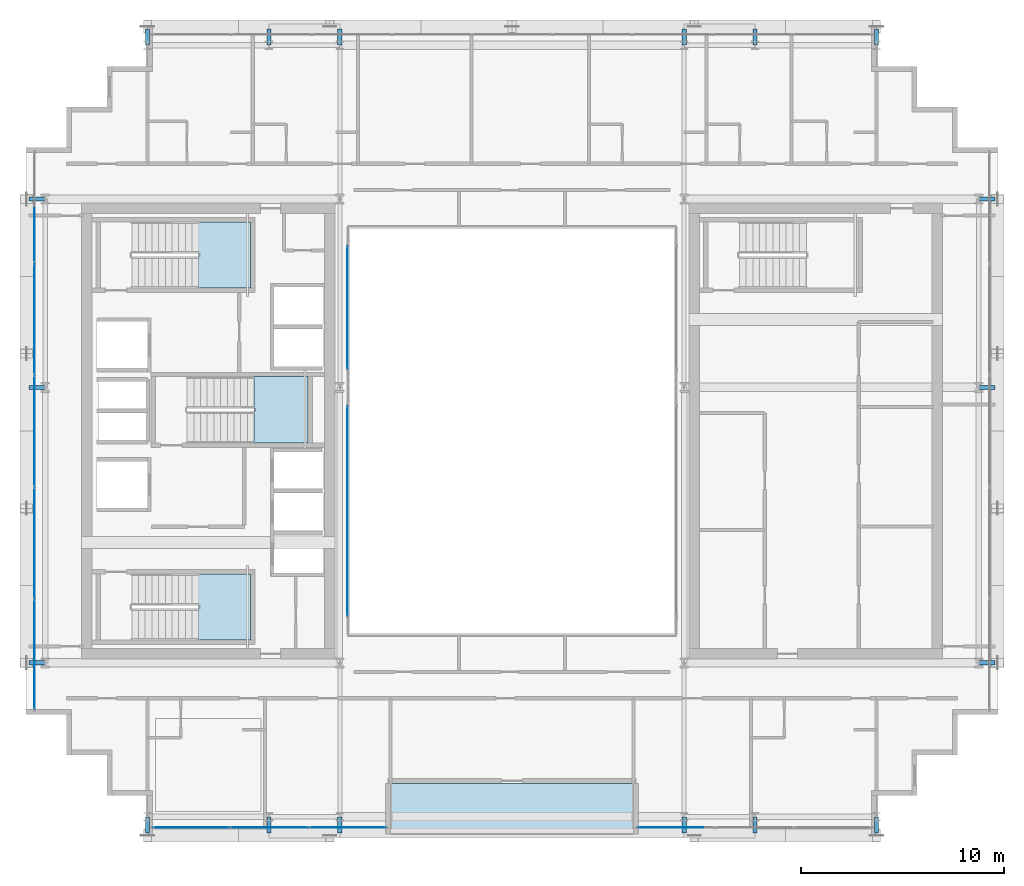
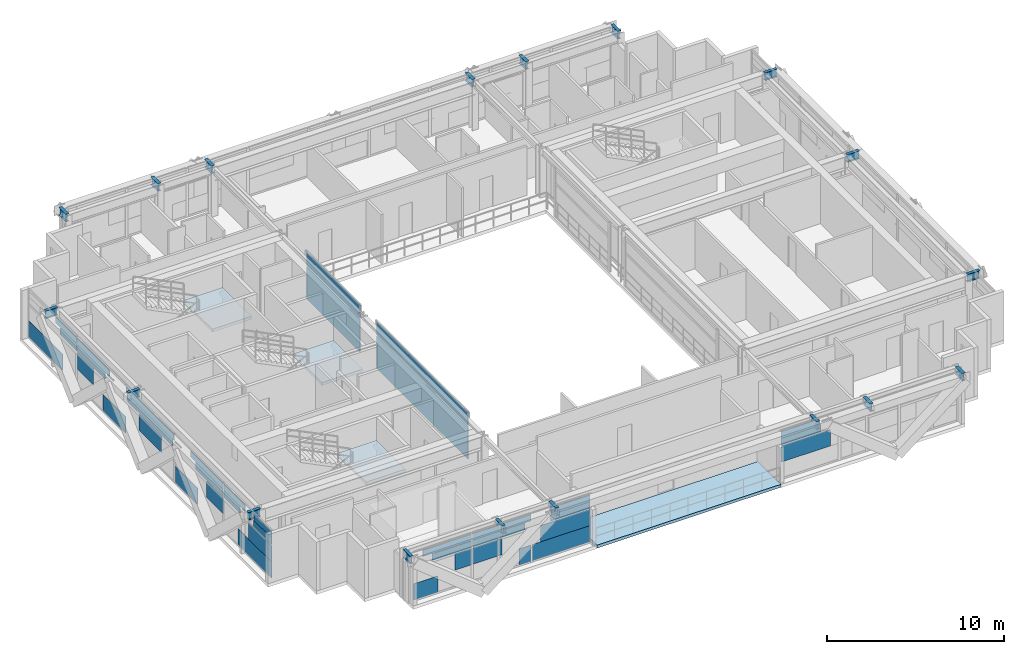
# One storey, part 24 of 37: 39 plates, 18 beams, 4 slabs, 8 elements without a shape of their own.
"""IFC4 building model written with IfcOpenShell, lengths in metres."""

from ifc_helpers import new_model, si_unit, direction, frame, origin, origin_2d, place, context, subcontext, project, spatial, polyline, rectangle, i_section, outline, extrude, source, transform, mapped, material, layer, layer_set, material_profile, profile_set, type_object, element, aggregate, save


model = new_model("IFC4")

# Units and contexts
model_context = context("Model", 3, precision=1e-05, world=origin(), true_north=direction((0.0, 1.0)))
body_context = subcontext(model_context, "Body", "Model", "MODEL_VIEW")
ifc_project = project(units=[si_unit("LENGTHUNIT", "METRE"), si_unit("AREAUNIT", "SQUARE_METRE"), si_unit("VOLUMEUNIT", "CUBIC_METRE"), si_unit("PLANEANGLEUNIT", "RADIAN"), si_unit("MASSUNIT", "GRAM", prefix="KILO")], contexts=[model_context])

# Site, building, storey
site_placement = place(None, origin())
site = spatial("IfcSite", under=ifc_project, at=site_placement, CompositionType="ELEMENT")
building_placement = place(site_placement, origin())
building = spatial("IfcBuilding", under=site, at=building_placement, Name="Ocotamira Hotel", CompositionType="ELEMENT")
storey_placement = place(building_placement, frame((0.0, 0.0, 192.0)))
storey = spatial("IfcBuildingStorey", under=building, at=storey_placement, Name="L48", CompositionType="ELEMENT", Elevation=192.0)

# Beams
ifc_material_1 = material(Name="Steel ASTM A992 Grade 50", Category="steel")
ifc_material_profile = material_profile(ifc_material_1, i_section(OverallWidth=0.2099609375, OverallDepth=0.537109375, WebThickness=0.010986328125, FlangeThickness=0.017333984375, FilletRadius=0.012939453125, at=origin_2d()), Name="W21X68")
ifc_profile_set = profile_set([ifc_material_profile], Name="Steel ASTM A992 Grade 50")
beam_type = type_object("IfcBeamType", Name="BM-SEC-W21X68", PredefinedType="JOIST", material=ifc_profile_set)
shared_shape_1 = source(origin(), body_context, "Body", "SweptSolid", [
    extrude(i_section(OverallWidth=0.2099609375, OverallDepth=0.537109375, WebThickness=0.010986328125, FlangeThickness=0.017333984375, FilletRadius=0.012939453125, at=origin_2d()), origin(), (0.0, 0.0, 1.0), 0.800048828125),
])
for number, where, z_axis, x_axis, name in (
    (1, (14.0, 6.949951171875, 3.1015625), (0.0, -1.0, 0.0), (1.0, 0.0, 0.0), "L48 South Edge Header X14"),
    (2, (14.0, 45.050048828125, 3.1015625), (0.0, 1.0, 0.0), (-1.0, 0.0, 0.0), "L48 North Edge Header X14"),
    (3, (20.0, 6.949951171875, 3.1015625), (0.0, -1.0, 0.0), (1.0, 0.0, 0.0), "L48 South Edge Header X20"),
    (4, (20.0, 45.050048828125, 3.1015625), (0.0, 1.0, 0.0), (-1.0, 0.0, 0.0), "L48 North Edge Header X20"),
    (5, (23.5, 6.949951171875, 3.1015625), (0.0, -1.0, 0.0), (1.0, 0.0, 0.0), "L48 South Edge Header X23.5"),
    (6, (23.5, 45.050048828125, 3.1015625), (0.0, 1.0, 0.0), (-1.0, 0.0, 0.0), "L48 North Edge Header X23.5"),
    (7, (40.5, 6.949951171875, 3.1015625), (0.0, -1.0, 0.0), (1.0, 0.0, 0.0), "L48 South Edge Header X40.5"),
    (8, (40.5, 45.050048828125, 3.1015625), (0.0, 1.0, 0.0), (-1.0, 0.0, 0.0), "L48 North Edge Header X40.5"),
    (9, (44.0, 6.949951171875, 3.1015625), (0.0, -1.0, 0.0), (1.0, 0.0, 0.0), "L48 South Edge Header X44"),
    (10, (44.0, 45.050048828125, 3.1015625), (0.0, 1.0, 0.0), (-1.0, 0.0, 0.0), "L48 North Edge Header X44"),
    (11, (50.0, 6.949951171875, 3.1015625), (0.0, -1.0, 0.0), (1.0, 0.0, 0.0), "L48 South Edge Header X50"),
    (12, (50.0, 45.050048828125, 3.1015625), (0.0, 1.0, 0.0), (-1.0, 0.0, 0.0), "L48 North Edge Header X50"),
    (13, (8.949951171875, 14.550048828125, 3.1015625), (-1.0, 0.0, 0.0), (0.0, -1.0, 0.0), "L48 West Edge Header Y14.55"),
    (14, (55.050048828125, 14.550048828125, 3.1015625), (1.0, 0.0, 0.0), (0.0, 1.0, 0.0), "L48 East Edge Header Y14.55"),
    (15, (8.949951171875, 28.14990234375, 3.1015625), (-1.0, 0.0, 0.0), (0.0, -1.0, 0.0), "L48 West Edge Header Y28.15"),
    (16, (55.050048828125, 28.14990234375, 3.1015625), (1.0, 0.0, 0.0), (0.0, 1.0, 0.0), "L48 East Edge Header Y28.15"),
    (17, (8.949951171875, 37.449951171875, 3.1015625), (-1.0, 0.0, 0.0), (0.0, -1.0, 0.0), "L48 West Edge Header Y37.45"),
    (18, (55.050048828125, 37.449951171875, 3.1015625), (1.0, 0.0, 0.0), (0.0, 1.0, 0.0), "L48 East Edge Header Y37.45"),
):
    element("IfcBeam", number, at=place(storey_placement, frame(where, z_axis=z_axis, x_axis=x_axis)), inside=storey, type_object=beam_type, Name=name, PredefinedType="JOIST", context=body_context, shape_type="MappedRepresentation", body=[
        mapped(shared_shape_1, transform((0.0, 0.0, 0.0), scale=1.0)),
    ])

# Slab
ifc_material_2 = material(Name="Concrete C40/50", Category="concrete")
ifc_layer_1 = layer(ifc_material_2, 0.199951171875)
ifc_layer_set_1 = layer_set([ifc_layer_1], Name="Concrete C40/50")
slab_type_1 = type_object("IfcSlabType", Name="SLB-BAL-200", PredefinedType="FLOOR", material=ifc_layer_set_1)
slab_1_placement = place(storey_placement, frame((0.0, 0.0, -0.199951171875)))
element("IfcSlab", 19, at=slab_1_placement, inside=storey, type_object=slab_type_1, Name="L48 Outdoor Sky Terrace Slab 1", PredefinedType="FLOOR", context=body_context, shape_type="SweptSolid", body=[
    extrude(outline(polyline([(26.0, 6.0), (38.0, 6.0), (38.0, 8.60009765625), (26.0, 8.60009765625), (26.0, 6.0)])), origin(), (0.0, 0.0, 1.0), 0.199951171875),
])

# Stair, slab
stair_type = type_object("IfcStairType", Name="ST-CORE-1560", PredefinedType="HALF_TURN_STAIR", material=ifc_material_2)
stair_1_placement = place(storey_placement, origin())
stair_1 = element("IfcStair", 20, at=stair_1_placement, inside=storey, type_object=stair_type, Name="L48 Exit Stair ST-1", PredefinedType="HALF_TURN_STAIR")
ifc_layer_2 = layer(ifc_material_2, 0.199951171875)
ifc_layer_set_2 = layer_set([ifc_layer_2], Name="Concrete C40/50")
slab_type_2 = type_object("IfcSlabType", Name="SLB-LAND-200", PredefinedType="LANDING", material=ifc_layer_set_2)
slab_2_placement = place(storey_placement, frame((0.0, 0.0, 1.60009765625)))
slab_2 = element("IfcSlab", 21, at=slab_2_placement, type_object=slab_type_2, Name="ST-1 landing 1", PredefinedType="LANDING", context=body_context, shape_type="SweptSolid", body=[
    extrude(outline(polyline([(16.530029296875, 15.669921875), (19.090087890625, 15.669921875), (19.090087890625, 18.949951171875), (16.530029296875, 18.949951171875), (16.530029296875, 15.669921875)])), origin(), (0.0, 0.0, 1.0), 0.199951171875),
])
aggregate(stair_1, [slab_2])

stair_2_placement = place(storey_placement, origin())
stair_2 = element("IfcStair", 22, at=stair_2_placement, inside=storey, type_object=stair_type, Name="L48 Exit Stair ST-2", PredefinedType="HALF_TURN_STAIR")
slab_3_placement = place(storey_placement, frame((0.0, 0.0, 1.60009765625)))
slab_3 = element("IfcSlab", 23, at=slab_3_placement, type_object=slab_type_2, Name="ST-2 landing 1", PredefinedType="LANDING", context=body_context, shape_type="SweptSolid", body=[
    extrude(outline(polyline([(16.530029296875, 33.050048828125), (19.090087890625, 33.050048828125), (19.090087890625, 36.330078125), (16.530029296875, 36.330078125), (16.530029296875, 33.050048828125)])), origin(), (0.0, 0.0, 1.0), 0.199951171875),
])
aggregate(stair_2, [slab_3])

stair_3_placement = place(storey_placement, origin())
stair_3 = element("IfcStair", 24, at=stair_3_placement, inside=storey, type_object=stair_type, Name="L48 Exit Stair ST-3", PredefinedType="HALF_TURN_STAIR")
slab_4_placement = place(storey_placement, frame((0.0, 0.0, 1.60009765625)))
slab_4 = element("IfcSlab", 25, at=slab_4_placement, type_object=slab_type_2, Name="ST-3 landing 1", PredefinedType="LANDING", context=body_context, shape_type="SweptSolid", body=[
    extrude(outline(polyline([(19.260009765625, 25.39990234375), (21.919921875, 25.39990234375), (21.919921875, 28.679931640625), (19.260009765625, 28.679931640625), (19.260009765625, 25.39990234375)])), origin(), (0.0, 0.0, 1.0), 0.199951171875),
])
aggregate(stair_3, [slab_4])

# Curtain wall, plate
ifc_material_3 = material(Name="Anodised pale-metal aluminium and solar glass", Category="aluminium")
ifc_layer_3 = layer(ifc_material_3, 0.199951171875)
ifc_layer_set_3 = layer_set([ifc_layer_3], Name="Anodised pale-metal aluminium and solar glass")
curtain_wall_type_1 = type_object("IfcCurtainWallType", Name="CW-SYS4-Z3", PredefinedType="NOTDEFINED", material=ifc_layer_set_3)
curtain_wall_1_placement = place(storey_placement, origin())
curtain_wall_1 = element("IfcCurtainWall", 26, at=curtain_wall_1_placement, inside=storey, type_object=curtain_wall_type_1, Name="L48 Curtain Wall CW-4 CW-L48-S1", PredefinedType="NOTDEFINED")
ifc_material_4 = material(Name="Double-silver low-E insulated solar glass", Category="glass")
ifc_layer_4 = layer(ifc_material_4, 0.031982421875)
ifc_layer_set_4 = layer_set([ifc_layer_4], Name="Double-silver low-E insulated solar glass")
plate_type = type_object("IfcPlateType", Name="CWP-VISION-32", PredefinedType="CURTAIN_PANEL", material=ifc_layer_set_4)
shared_shape_2 = source(origin(), body_context, "Body", "SweptSolid", [
    extrude(rectangle(XDim=1.5673828125, YDim=0.031982421875, at=origin_2d()), origin(), (0.0, 0.0, 1.0), 1.118896484375),
])
plate_1_placement = place(storey_placement, frame((15.063720703125, 6.419921875, 0.0751953125), z_axis=(0.0, 0.0, 1.0), x_axis=(1.0, 0.0, 0.0)))
plate_1 = element("IfcPlate", 27, at=plate_1_placement, type_object=plate_type, Name="CW-4 panel 1.1.1", PredefinedType="CURTAIN_PANEL", context=body_context, shape_type="MappedRepresentation", body=[
    mapped(shared_shape_2, transform((0.0, 0.0, 0.0), scale=1.0)),
])

# Curtain wall, plates
curtain_wall_2_placement = place(storey_placement, origin())
curtain_wall_2 = element("IfcCurtainWall", 28, at=curtain_wall_2_placement, inside=storey, type_object=curtain_wall_type_1, Name="L48 Curtain Wall CW-4 CW-L48-W", PredefinedType="NOTDEFINED")
shared_shape_3 = source(origin(), body_context, "Body", "SweptSolid", [
    extrude(rectangle(XDim=3.802001953125, YDim=0.031982421875, at=origin_2d()), origin(), (0.0, 0.0, 1.0), 1.118896484375),
])
plate_2_placement = place(storey_placement, frame((8.419921875, 14.180908203125, 0.0751953125), z_axis=(0.0, 0.0, 1.0), x_axis=(0.0, 1.0, 0.0)))
plate_2 = element("IfcPlate", 29, at=plate_2_placement, type_object=plate_type, Name="CW-4 panel 1.1.1", PredefinedType="CURTAIN_PANEL", context=body_context, shape_type="MappedRepresentation", body=[
    mapped(shared_shape_3, transform((0.0, 0.0, 0.0), scale=1.0)),
])
plate_3_placement = place(storey_placement, frame((8.419921875, 37.819091796875, 0.0751953125), z_axis=(0.0, 0.0, 1.0), x_axis=(0.0, 1.0, 0.0)))
plate_3 = element("IfcPlate", 30, at=plate_3_placement, type_object=plate_type, Name="CW-4 panel 5.1.1", PredefinedType="CURTAIN_PANEL", context=body_context, shape_type="MappedRepresentation", body=[
    mapped(shared_shape_3, transform((0.0, 0.0, 0.0), scale=1.0)),
])
shared_shape_4 = source(origin(), body_context, "Body", "SweptSolid", [
    extrude(rectangle(XDim=2.048095703125, YDim=0.031982421875, at=origin_2d()), origin(), (0.0, 0.0, 1.0), 0.460693359375),
])
plate_4_placement = place(storey_placement, frame((8.419921875, 13.303955078125, 2.3876953125), z_axis=(0.0, 0.0, 1.0), x_axis=(0.0, 1.0, 0.0)))
plate_4 = element("IfcPlate", 31, at=plate_4_placement, type_object=plate_type, Name="CW-4 panel 1.2.1", PredefinedType="CURTAIN_PANEL", context=body_context, shape_type="MappedRepresentation", body=[
    mapped(shared_shape_4, transform((0.0, 0.0, 0.0), scale=1.0)),
])
shared_shape_5 = source(origin(), body_context, "Body", "SweptSolid", [
    extrude(rectangle(XDim=2.01171875, YDim=0.031982421875, at=origin_2d()), origin(), (0.0, 0.0, 1.0), 0.44677734375),
])
plate_5_placement = place(storey_placement, frame((8.419921875, 13.285888671875, 2.84814453125), z_axis=(0.0, 0.0, 1.0), x_axis=(0.0, 1.0, 0.0)))
plate_5 = element("IfcPlate", 32, at=plate_5_placement, type_object=plate_type, Name="CW-4 panel 1.2.2", PredefinedType="CURTAIN_PANEL", context=body_context, shape_type="MappedRepresentation", body=[
    mapped(shared_shape_5, transform((0.0, 0.0, 0.0), scale=1.0)),
])
shared_shape_6 = source(origin(), body_context, "Body", "SweptSolid", [
    extrude(rectangle(XDim=2.3681640625, YDim=0.031982421875, at=origin_2d()), origin(), (0.0, 0.0, 1.0), 0.41259765625),
])
plate_6_placement = place(storey_placement, frame((8.419921875, 16.495849609375, 2.882568359375), z_axis=(0.0, 0.0, 1.0), x_axis=(0.0, 1.0, 0.0)))
plate_6 = element("IfcPlate", 33, at=plate_6_placement, type_object=plate_type, Name="CW-4 panel 1.2.3", PredefinedType="CURTAIN_PANEL", context=body_context, shape_type="MappedRepresentation", body=[
    mapped(shared_shape_6, transform((0.0, 0.0, 0.0), scale=1.0)),
])
plate_7_placement = place(storey_placement, frame((8.419921875, 35.504150390625, 2.882568359375), z_axis=(0.0, 0.0, 1.0), x_axis=(0.0, 1.0, 0.0)))
plate_7 = element("IfcPlate", 34, at=plate_7_placement, type_object=plate_type, Name="CW-4 panel 5.2.2", PredefinedType="CURTAIN_PANEL", context=body_context, shape_type="MappedRepresentation", body=[
    mapped(shared_shape_6, transform((0.0, 0.0, 0.0), scale=1.0)),
])
shared_shape_7 = source(origin(), body_context, "Body", "SweptSolid", [
    extrude(rectangle(XDim=1.84326171875, YDim=0.031982421875, at=origin_2d()), origin(), (0.0, 0.0, 1.0), 0.460693359375),
])
plate_8_placement = place(storey_placement, frame((8.419921875, 16.75830078125, 2.3876953125), z_axis=(0.0, 0.0, 1.0), x_axis=(0.0, 1.0, 0.0)))
plate_8 = element("IfcPlate", 35, at=plate_8_placement, type_object=plate_type, Name="CW-4 panel 1.2.4", PredefinedType="CURTAIN_PANEL", context=body_context, shape_type="MappedRepresentation", body=[
    mapped(shared_shape_7, transform((0.0, 0.0, 0.0), scale=1.0)),
])
plate_9_placement = place(storey_placement, frame((8.419921875, 35.24169921875, 2.3876953125), z_axis=(0.0, 0.0, 1.0), x_axis=(0.0, 1.0, 0.0)))
plate_9 = element("IfcPlate", 36, at=plate_9_placement, type_object=plate_type, Name="CW-4 panel 5.2.1", PredefinedType="CURTAIN_PANEL", context=body_context, shape_type="MappedRepresentation", body=[
    mapped(shared_shape_7, transform((0.0, 0.0, 0.0), scale=1.0)),
])
shared_shape_8 = source(origin(), body_context, "Body", "SweptSolid", [
    extrude(rectangle(XDim=2.548828125, YDim=0.031982421875, at=origin_2d()), origin(), (0.0, 0.0, 1.0), 1.118896484375),
])
plate_10_placement = place(storey_placement, frame((8.419921875, 21.925537109375, 0.0751953125), z_axis=(0.0, 0.0, 1.0), x_axis=(0.0, 1.0, 0.0)))
plate_10 = element("IfcPlate", 37, at=plate_10_placement, type_object=plate_type, Name="CW-4 panel 2.1.2", PredefinedType="CURTAIN_PANEL", context=body_context, shape_type="MappedRepresentation", body=[
    mapped(shared_shape_8, transform((0.0, 0.0, 0.0), scale=1.0)),
])
plate_11_placement = place(storey_placement, frame((8.419921875, 30.074462890625, 0.0751953125), z_axis=(0.0, 0.0, 1.0), x_axis=(0.0, 1.0, 0.0)))
plate_11 = element("IfcPlate", 38, at=plate_11_placement, type_object=plate_type, Name="CW-4 panel 4.1.1", PredefinedType="CURTAIN_PANEL", context=body_context, shape_type="MappedRepresentation", body=[
    mapped(shared_shape_8, transform((0.0, 0.0, 0.0), scale=1.0)),
])
shared_shape_9 = source(origin(), body_context, "Body", "SweptSolid", [
    extrude(rectangle(XDim=3.13671875, YDim=0.031982421875, at=origin_2d()), origin(), (0.0, 0.0, 1.0), 0.460693359375),
])
plate_12_placement = place(storey_placement, frame((8.419921875, 19.328369140625, 2.3876953125), z_axis=(0.0, 0.0, 1.0), x_axis=(0.0, 1.0, 0.0)))
plate_12 = element("IfcPlate", 39, at=plate_12_placement, type_object=plate_type, Name="CW-4 panel 2.2.1", PredefinedType="CURTAIN_PANEL", context=body_context, shape_type="MappedRepresentation", body=[
    mapped(shared_shape_9, transform((0.0, 0.0, 0.0), scale=1.0)),
])
plate_13_placement = place(storey_placement, frame((8.419921875, 32.671630859375, 2.3876953125), z_axis=(0.0, 0.0, 1.0), x_axis=(0.0, 1.0, 0.0)))
plate_13 = element("IfcPlate", 40, at=plate_13_placement, type_object=plate_type, Name="CW-4 panel 4.2.2", PredefinedType="CURTAIN_PANEL", context=body_context, shape_type="MappedRepresentation", body=[
    mapped(shared_shape_9, transform((0.0, 0.0, 0.0), scale=1.0)),
])
shared_shape_10 = source(origin(), body_context, "Body", "SweptSolid", [
    extrude(rectangle(XDim=3.66162109375, YDim=0.031982421875, at=origin_2d()), origin(), (0.0, 0.0, 1.0), 0.41259765625),
])
plate_14_placement = place(storey_placement, frame((8.419921875, 19.5908203125, 2.882568359375), z_axis=(0.0, 0.0, 1.0), x_axis=(0.0, 1.0, 0.0)))
plate_14 = element("IfcPlate", 41, at=plate_14_placement, type_object=plate_type, Name="CW-4 panel 2.2.2", PredefinedType="CURTAIN_PANEL", context=body_context, shape_type="MappedRepresentation", body=[
    mapped(shared_shape_10, transform((0.0, 0.0, 0.0), scale=1.0)),
])
plate_15_placement = place(storey_placement, frame((8.419921875, 32.4091796875, 2.882568359375), z_axis=(0.0, 0.0, 1.0), x_axis=(0.0, 1.0, 0.0)))
plate_15 = element("IfcPlate", 42, at=plate_15_placement, type_object=plate_type, Name="CW-4 panel 4.2.1", PredefinedType="CURTAIN_PANEL", context=body_context, shape_type="MappedRepresentation", body=[
    mapped(shared_shape_10, transform((0.0, 0.0, 0.0), scale=1.0)),
])
shared_shape_11 = source(origin(), body_context, "Body", "SweptSolid", [
    extrude(rectangle(XDim=5.43994140625, YDim=0.031982421875, at=origin_2d()), origin(), (0.0, 0.0, 1.0), 0.41259765625),
])
plate_16_placement = place(storey_placement, frame((8.419921875, 26.0, 2.882568359375), z_axis=(0.0, 0.0, 1.0), x_axis=(0.0, 1.0, 0.0)))
plate_16 = element("IfcPlate", 43, at=plate_16_placement, type_object=plate_type, Name="CW-4 panel 3.2.1", PredefinedType="CURTAIN_PANEL", context=body_context, shape_type="MappedRepresentation", body=[
    mapped(shared_shape_11, transform((0.0, 0.0, 0.0), scale=1.0)),
])
shared_shape_12 = source(origin(), body_context, "Body", "SweptSolid", [
    extrude(rectangle(XDim=5.06005859375, YDim=0.031982421875, at=origin_2d()), origin(), (0.0, 0.0, 1.0), 0.4951171875),
])
plate_17_placement = place(storey_placement, frame((8.419921875, 26.0, 2.387451171875), z_axis=(0.0, 0.0, 1.0), x_axis=(0.0, 1.0, 0.0)))
plate_17 = element("IfcPlate", 44, at=plate_17_placement, type_object=plate_type, Name="CW-4 panel 3.2.2", PredefinedType="CURTAIN_PANEL", context=body_context, shape_type="MappedRepresentation", body=[
    mapped(shared_shape_12, transform((0.0, 0.0, 0.0), scale=1.0)),
])

# Plate
shared_shape_13 = source(origin(), body_context, "Body", "SweptSolid", [
    extrude(rectangle(XDim=3.76318359375, YDim=0.031982421875, at=origin_2d()), origin(), (0.0, 0.0, 1.0), 1.118896484375),
])
plate_18_placement = place(storey_placement, frame((23.88818359375, 6.419921875, 0.0751953125), z_axis=(0.0, 0.0, 1.0), x_axis=(1.0, 0.0, 0.0)))
plate_18 = element("IfcPlate", 45, at=plate_18_placement, type_object=plate_type, Name="CW-4 panel 3.1.1", PredefinedType="CURTAIN_PANEL", context=body_context, shape_type="MappedRepresentation", body=[
    mapped(shared_shape_13, transform((0.0, 0.0, 0.0), scale=1.0)),
])

shared_shape_14 = source(origin(), body_context, "Body", "SweptSolid", [
    extrude(rectangle(XDim=1.0751953125, YDim=0.031982421875, at=origin_2d()), origin(), (0.0, 0.0, 1.0), 1.118896484375),
])
plate_19_placement = place(storey_placement, frame((17.505615234375, 6.419921875, 1.19384765625), z_axis=(0.0, 0.0, 1.0), x_axis=(1.0, 0.0, 0.0)))
plate_19 = element("IfcPlate", 46, at=plate_19_placement, type_object=plate_type, Name="CW-4 panel 1.1.2", PredefinedType="CURTAIN_PANEL", context=body_context, shape_type="MappedRepresentation", body=[
    mapped(shared_shape_14, transform((0.0, 0.0, 0.0), scale=1.0)),
])

shared_shape_15 = source(origin(), body_context, "Body", "SweptSolid", [
    extrude(rectangle(XDim=3.160888671875, YDim=0.031982421875, at=origin_2d()), origin(), (0.0, 0.0, 1.0), 0.4326171875),
])
plate_20_placement = place(storey_placement, frame((16.462890625, 6.419921875, 2.8623046875), z_axis=(0.0, 0.0, 1.0), x_axis=(1.0, 0.0, 0.0)))
plate_20 = element("IfcPlate", 47, at=plate_20_placement, type_object=plate_type, Name="CW-4 panel 1.2.1", PredefinedType="CURTAIN_PANEL", context=body_context, shape_type="MappedRepresentation", body=[
    mapped(shared_shape_15, transform((0.0, 0.0, 0.0), scale=1.0)),
])

shared_shape_16 = source(origin(), body_context, "Body", "SweptSolid", [
    extrude(rectangle(XDim=2.5673828125, YDim=0.031982421875, at=origin_2d()), origin(), (0.0, 0.0, 1.0), 0.443603515625),
])
plate_21_placement = place(storey_placement, frame((16.759521484375, 6.419921875, 2.3876953125), z_axis=(0.0, 0.0, 1.0), x_axis=(1.0, 0.0, 0.0)))
plate_21 = element("IfcPlate", 48, at=plate_21_placement, type_object=plate_type, Name="CW-4 panel 1.2.2", PredefinedType="CURTAIN_PANEL", context=body_context, shape_type="MappedRepresentation", body=[
    mapped(shared_shape_16, transform((0.0, 0.0, 0.0), scale=1.0)),
])

shared_shape_17 = source(origin(), body_context, "Body", "SweptSolid", [
    extrude(rectangle(XDim=1.90869140625, YDim=0.031982421875, at=origin_2d()), origin(), (0.0, 0.0, 1.0), 1.118896484375),
])
plate_22_placement = place(storey_placement, frame((19.07763671875, 6.419921875, 1.19384765625), z_axis=(0.0, 0.0, 1.0), x_axis=(1.0, 0.0, 0.0)))
plate_22 = element("IfcPlate", 49, at=plate_22_placement, type_object=plate_type, Name="CW-4 panel 2.1.1", PredefinedType="CURTAIN_PANEL", context=body_context, shape_type="MappedRepresentation", body=[
    mapped(shared_shape_17, transform((0.0, 0.0, 0.0), scale=1.0)),
])

shared_shape_18 = source(origin(), body_context, "Body", "SweptSolid", [
    extrude(rectangle(XDim=0.774169921875, YDim=0.031982421875, at=origin_2d()), origin(), (0.0, 0.0, 1.0), 1.118896484375),
])
plate_23_placement = place(storey_placement, frame((21.53955078125, 6.419921875, 0.0751953125), z_axis=(0.0, 0.0, 1.0), x_axis=(1.0, 0.0, 0.0)))
plate_23 = element("IfcPlate", 50, at=plate_23_placement, type_object=plate_type, Name="CW-4 panel 2.1.2", PredefinedType="CURTAIN_PANEL", context=body_context, shape_type="MappedRepresentation", body=[
    mapped(shared_shape_18, transform((0.0, 0.0, 0.0), scale=1.0)),
])

shared_shape_19 = source(origin(), body_context, "Body", "SweptSolid", [
    extrude(rectangle(XDim=3.40087890625, YDim=0.031982421875, at=origin_2d()), origin(), (0.0, 0.0, 1.0), 0.474853515625),
])
plate_24_placement = place(storey_placement, frame((19.82373046875, 6.419921875, 2.3876953125), z_axis=(0.0, 0.0, 1.0), x_axis=(1.0, 0.0, 0.0)))
plate_24 = element("IfcPlate", 51, at=plate_24_placement, type_object=plate_type, Name="CW-4 panel 2.2.1", PredefinedType="CURTAIN_PANEL", context=body_context, shape_type="MappedRepresentation", body=[
    mapped(shared_shape_19, transform((0.0, 0.0, 0.0), scale=1.0)),
])

shared_shape_20 = source(origin(), body_context, "Body", "SweptSolid", [
    extrude(rectangle(XDim=3.80322265625, YDim=0.031982421875, at=origin_2d()), origin(), (0.0, 0.0, 1.0), 0.4326171875),
])
plate_25_placement = place(storey_placement, frame((20.02490234375, 6.419921875, 2.8623046875), z_axis=(0.0, 0.0, 1.0), x_axis=(1.0, 0.0, 0.0)))
plate_25 = element("IfcPlate", 52, at=plate_25_placement, type_object=plate_type, Name="CW-4 panel 2.2.2", PredefinedType="CURTAIN_PANEL", context=body_context, shape_type="MappedRepresentation", body=[
    mapped(shared_shape_20, transform((0.0, 0.0, 0.0), scale=1.0)),
])

shared_shape_21 = source(origin(), body_context, "Body", "SweptSolid", [
    extrude(rectangle(XDim=3.218994140625, YDim=0.031982421875, at=origin_2d()), origin(), (0.0, 0.0, 1.0), 1.118896484375),
])
plate_26_placement = place(storey_placement, frame((24.160400390625, 6.419921875, 1.19384765625), z_axis=(0.0, 0.0, 1.0), x_axis=(1.0, 0.0, 0.0)))
plate_26 = element("IfcPlate", 53, at=plate_26_placement, type_object=plate_type, Name="CW-4 panel 3.1.2", PredefinedType="CURTAIN_PANEL", context=body_context, shape_type="MappedRepresentation", body=[
    mapped(shared_shape_21, transform((0.0, 0.0, 0.0), scale=1.0)),
])

# Curtain wall, plate
curtain_wall_3_placement = place(storey_placement, origin())
curtain_wall_3 = element("IfcCurtainWall", 54, at=curtain_wall_3_placement, inside=storey, type_object=curtain_wall_type_1, Name="L48 Curtain Wall CW-4 CW-L48-S2", PredefinedType="NOTDEFINED")
plate_27_placement = place(storey_placement, frame((39.839599609375, 6.419921875, 1.19384765625), z_axis=(0.0, 0.0, 1.0), x_axis=(1.0, 0.0, 0.0)))
plate_27 = element("IfcPlate", 55, at=plate_27_placement, type_object=plate_type, Name="CW-4 panel 1.1.2", PredefinedType="CURTAIN_PANEL", context=body_context, shape_type="MappedRepresentation", body=[
    mapped(shared_shape_21, transform((0.0, 0.0, 0.0), scale=1.0)),
])

# Plate
shared_shape_22 = source(origin(), body_context, "Body", "SweptSolid", [
    extrude(rectangle(XDim=2.57080078125, YDim=0.031982421875, at=origin_2d()), origin(), (0.0, 0.0, 1.0), 0.443603515625),
])
plate_28_placement = place(storey_placement, frame((24.484619140625, 6.419921875, 2.3876953125), z_axis=(0.0, 0.0, 1.0), x_axis=(1.0, 0.0, 0.0)))
plate_28 = element("IfcPlate", 56, at=plate_28_placement, type_object=plate_type, Name="CW-4 panel 3.2.1", PredefinedType="CURTAIN_PANEL", context=body_context, shape_type="MappedRepresentation", body=[
    mapped(shared_shape_22, transform((0.0, 0.0, 0.0), scale=1.0)),
])

plate_29_placement = place(storey_placement, frame((39.515380859375, 6.419921875, 2.3876953125), z_axis=(0.0, 0.0, 1.0), x_axis=(1.0, 0.0, 0.0)))
plate_29 = element("IfcPlate", 57, at=plate_29_placement, type_object=plate_type, Name="CW-4 panel 1.2.1", PredefinedType="CURTAIN_PANEL", context=body_context, shape_type="MappedRepresentation", body=[
    mapped(shared_shape_22, transform((0.0, 0.0, 0.0), scale=1.0)),
])

shared_shape_23 = source(origin(), body_context, "Body", "SweptSolid", [
    extrude(rectangle(XDim=2.53173828125, YDim=0.031982421875, at=origin_2d()), origin(), (0.0, 0.0, 1.0), 0.4638671875),
])
plate_30_placement = place(storey_placement, frame((24.504150390625, 6.419921875, 2.8310546875), z_axis=(0.0, 0.0, 1.0), x_axis=(1.0, 0.0, 0.0)))
plate_30 = element("IfcPlate", 58, at=plate_30_placement, type_object=plate_type, Name="CW-4 panel 3.2.2", PredefinedType="CURTAIN_PANEL", context=body_context, shape_type="MappedRepresentation", body=[
    mapped(shared_shape_23, transform((0.0, 0.0, 0.0), scale=1.0)),
])

aggregate(curtain_wall_1, [plate_1, plate_19, plate_20, plate_21, plate_22, plate_23, plate_24, plate_25, plate_18, plate_26, plate_28, plate_30])

plate_31_placement = place(storey_placement, frame((39.495849609375, 6.419921875, 2.8310546875), z_axis=(0.0, 0.0, 1.0), x_axis=(1.0, 0.0, 0.0)))
plate_31 = element("IfcPlate", 59, at=plate_31_placement, type_object=plate_type, Name="CW-4 panel 1.2.2", PredefinedType="CURTAIN_PANEL", context=body_context, shape_type="MappedRepresentation", body=[
    mapped(shared_shape_23, transform((0.0, 0.0, 0.0), scale=1.0)),
])

aggregate(curtain_wall_3, [plate_27, plate_29, plate_31])

shared_shape_24 = source(origin(), body_context, "Body", "SweptSolid", [
    extrude(rectangle(XDim=2.615966796875, YDim=0.031982421875, at=origin_2d()), origin(), (0.0, 0.0, 1.0), 1.118896484375),
])
plate_32_placement = place(storey_placement, frame((8.419921875, 13.587890625, 1.19384765625), z_axis=(0.0, 0.0, 1.0), x_axis=(0.0, 1.0, 0.0)))
plate_32 = element("IfcPlate", 60, at=plate_32_placement, type_object=plate_type, Name="CW-4 panel 1.1.2", PredefinedType="CURTAIN_PANEL", context=body_context, shape_type="MappedRepresentation", body=[
    mapped(shared_shape_24, transform((0.0, 0.0, 0.0), scale=1.0)),
])

shared_shape_25 = source(origin(), body_context, "Body", "SweptSolid", [
    extrude(rectangle(XDim=1.87109375, YDim=0.031982421875, at=origin_2d()), origin(), (0.0, 0.0, 1.0), 1.118896484375),
])
plate_33_placement = place(storey_placement, frame((8.419921875, 18.695556640625, 1.19384765625), z_axis=(0.0, 0.0, 1.0), x_axis=(0.0, 1.0, 0.0)))
plate_33 = element("IfcPlate", 61, at=plate_33_placement, type_object=plate_type, Name="CW-4 panel 2.1.1", PredefinedType="CURTAIN_PANEL", context=body_context, shape_type="MappedRepresentation", body=[
    mapped(shared_shape_25, transform((0.0, 0.0, 0.0), scale=1.0)),
])

plate_34_placement = place(storey_placement, frame((8.419921875, 33.304443359375, 1.19384765625), z_axis=(0.0, 0.0, 1.0), x_axis=(0.0, 1.0, 0.0)))
plate_34 = element("IfcPlate", 62, at=plate_34_placement, type_object=plate_type, Name="CW-4 panel 4.1.2", PredefinedType="CURTAIN_PANEL", context=body_context, shape_type="MappedRepresentation", body=[
    mapped(shared_shape_25, transform((0.0, 0.0, 0.0), scale=1.0)),
])

shared_shape_26 = source(origin(), body_context, "Body", "SweptSolid", [
    extrude(rectangle(XDim=2.52880859375, YDim=0.031982421875, at=origin_2d()), origin(), (0.0, 0.0, 1.0), 1.118896484375),
])
plate_35_placement = place(storey_placement, frame((8.419921875, 26.0, 1.19384765625), z_axis=(0.0, 0.0, 1.0), x_axis=(0.0, 1.0, 0.0)))
plate_35 = element("IfcPlate", 63, at=plate_35_placement, type_object=plate_type, Name="CW-4 panel 3.1.1", PredefinedType="CURTAIN_PANEL", context=body_context, shape_type="MappedRepresentation", body=[
    mapped(shared_shape_26, transform((0.0, 0.0, 0.0), scale=1.0)),
])

aggregate(curtain_wall_2, [plate_2, plate_32, plate_4, plate_5, plate_6, plate_8, plate_33, plate_10, plate_12, plate_14, plate_35, plate_16, plate_17, plate_11, plate_34, plate_15, plate_13, plate_3, plate_9, plate_7])

# Curtain wall, plates
ifc_layer_5 = layer(ifc_material_3, 0.159912109375)
ifc_layer_set_5 = layer_set([ifc_layer_5], Name="Anodised pale-metal aluminium and solar glass")
curtain_wall_type_2 = type_object("IfcCurtainWallType", Name="CW-SYS6-ATR", PredefinedType="NOTDEFINED", material=ifc_layer_set_5)
curtain_wall_4_placement = place(storey_placement, origin())
curtain_wall_4 = element("IfcCurtainWall", 64, at=curtain_wall_4_placement, inside=storey, type_object=curtain_wall_type_2, Name="L48 Curtain Wall CW-6 CW-L48-ATRW1", PredefinedType="NOTDEFINED")
shared_shape_27 = source(origin(), body_context, "Body", "SweptSolid", [
    extrude(rectangle(XDim=10.340087890625, YDim=0.031982421875, at=origin_2d()), origin(), (0.0, 0.0, 1.0), 2.237548828125),
])
plate_36_placement = place(storey_placement, frame((23.8798828125, 22.050048828125, 0.0751953125), z_axis=(0.0, 0.0, 1.0), x_axis=(0.0, 1.0, 0.0)))
plate_36 = element("IfcPlate", 65, at=plate_36_placement, type_object=plate_type, Name="CW-6 panel 1.1", PredefinedType="CURTAIN_PANEL", context=body_context, shape_type="MappedRepresentation", body=[
    mapped(shared_shape_27, transform((0.0, 0.0, 0.0), scale=1.0)),
])
shared_shape_28 = source(origin(), body_context, "Body", "SweptSolid", [
    extrude(rectangle(XDim=10.340087890625, YDim=0.031982421875, at=origin_2d()), origin(), (0.0, 0.0, 1.0), 0.907470703125),
])
plate_37_placement = place(storey_placement, frame((23.8798828125, 22.050048828125, 2.3876953125), z_axis=(0.0, 0.0, 1.0), x_axis=(0.0, 1.0, 0.0)))
plate_37 = element("IfcPlate", 66, at=plate_37_placement, type_object=plate_type, Name="CW-6 panel 1.2", PredefinedType="CURTAIN_PANEL", context=body_context, shape_type="MappedRepresentation", body=[
    mapped(shared_shape_28, transform((0.0, 0.0, 0.0), scale=1.0)),
])
aggregate(curtain_wall_4, [plate_36, plate_37])

curtain_wall_5_placement = place(storey_placement, origin())
curtain_wall_5 = element("IfcCurtainWall", 67, at=curtain_wall_5_placement, inside=storey, type_object=curtain_wall_type_2, Name="L48 Curtain Wall CW-6 CW-L48-ATRW2", PredefinedType="NOTDEFINED")
shared_shape_29 = source(origin(), body_context, "Body", "SweptSolid", [
    extrude(rectangle(XDim=6.0400390625, YDim=0.031982421875, at=origin_2d()), origin(), (0.0, 0.0, 1.0), 2.237548828125),
])
plate_38_placement = place(storey_placement, frame((23.8798828125, 32.10009765625, 0.0751953125), z_axis=(0.0, 0.0, 1.0), x_axis=(0.0, 1.0, 0.0)))
plate_38 = element("IfcPlate", 68, at=plate_38_placement, type_object=plate_type, Name="CW-6 panel 1.1", PredefinedType="CURTAIN_PANEL", context=body_context, shape_type="MappedRepresentation", body=[
    mapped(shared_shape_29, transform((0.0, 0.0, 0.0), scale=1.0)),
])
shared_shape_30 = source(origin(), body_context, "Body", "SweptSolid", [
    extrude(rectangle(XDim=6.0400390625, YDim=0.031982421875, at=origin_2d()), origin(), (0.0, 0.0, 1.0), 0.907470703125),
])
plate_39_placement = place(storey_placement, frame((23.8798828125, 32.10009765625, 2.3876953125), z_axis=(0.0, 0.0, 1.0), x_axis=(0.0, 1.0, 0.0)))
plate_39 = element("IfcPlate", 69, at=plate_39_placement, type_object=plate_type, Name="CW-6 panel 1.2", PredefinedType="CURTAIN_PANEL", context=body_context, shape_type="MappedRepresentation", body=[
    mapped(shared_shape_30, transform((0.0, 0.0, 0.0), scale=1.0)),
])
aggregate(curtain_wall_5, [plate_38, plate_39])

save(model, "model.ifc")
